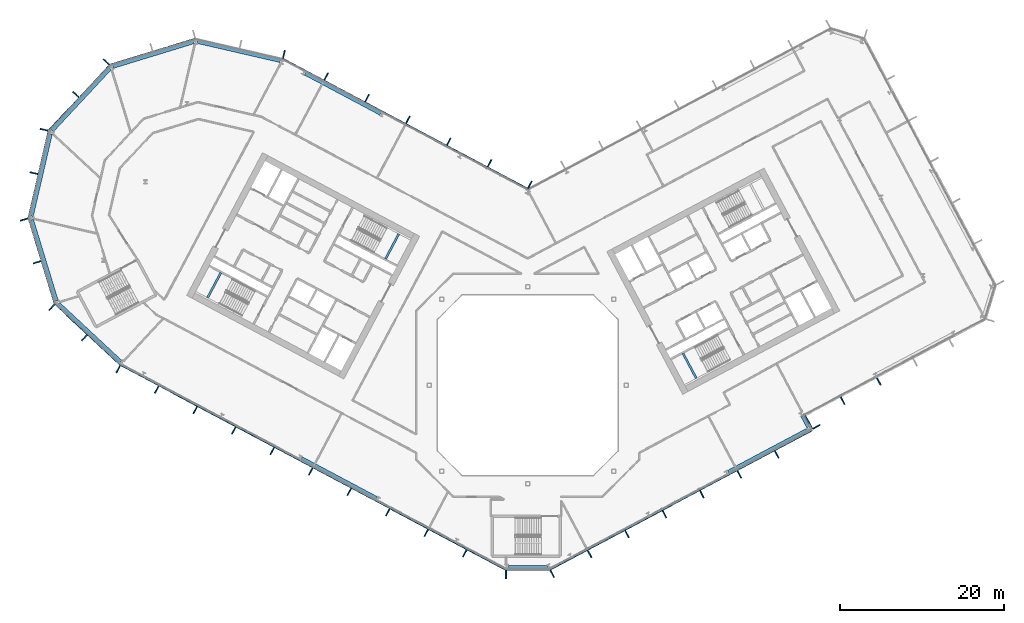
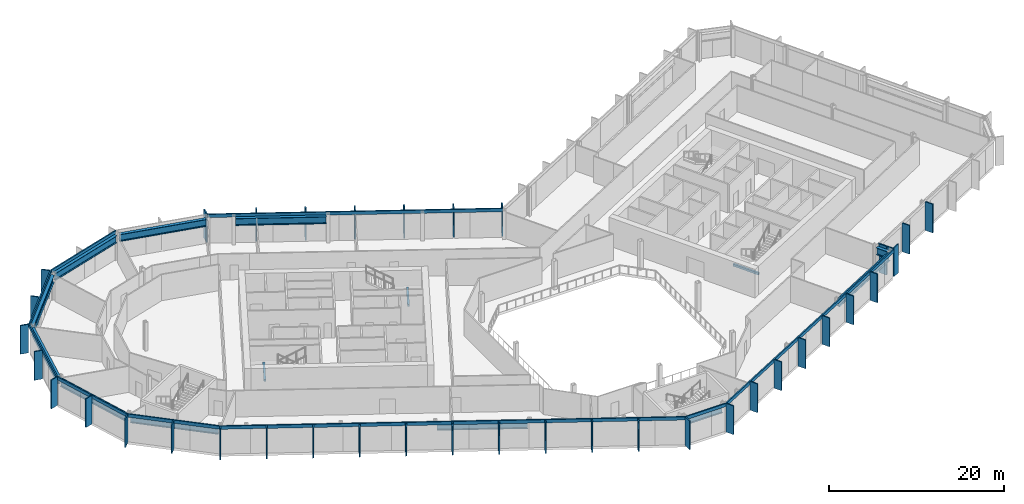
# One storey, part 9 of 28: 47 members, 14 beams, 12 elements without a shape of their own.
"""IFC4 building model written with IfcOpenShell, lengths in metres."""

from ifc_helpers import new_model, si_unit, direction, frame, origin, origin_2d, place, context, subcontext, project, spatial, rectangle, i_section, extrude, material, layer, layer_set, material_profile, profile_set, type_object, element, aggregate, save


model = new_model("IFC4")

# Units and contexts
model_context = context("Model", 3, precision=1e-05, world=origin(), true_north=direction((0.0, 1.0)))
body_context = subcontext(model_context, "Body", "Model", "MODEL_VIEW")
ifc_project = project(units=[si_unit("LENGTHUNIT", "METRE"), si_unit("AREAUNIT", "SQUARE_METRE"), si_unit("VOLUMEUNIT", "CUBIC_METRE"), si_unit("PLANEANGLEUNIT", "RADIAN"), si_unit("MASSUNIT", "GRAM", prefix="KILO")], contexts=[model_context])

# Site, building, storey
site_placement = place(None, origin())
site = spatial("IfcSite", under=ifc_project, at=site_placement, CompositionType="ELEMENT")
building_placement = place(site_placement, origin())
building = spatial("IfcBuilding", under=site, at=building_placement, Name="Cormorant Relay Tower", CompositionType="ELEMENT")
storey_placement = place(building_placement, frame((0.0, 0.0, 166.199951171875)))
storey = spatial("IfcBuildingStorey", under=building, at=storey_placement, Name="L35", CompositionType="ELEMENT", Elevation=166.199951171875)

# Curtain wall, member
ifc_material_1 = material(Name="Aluminium 6063-T6 anodised bronze", Category="aluminium")
ifc_layer = layer(ifc_material_1, 0.199951171875)
ifc_layer_set = layer_set([ifc_layer], Name="CW1 unitised bronze curtain wall with vertical fins")
curtain_wall_type = type_object("IfcCurtainWallType", Name="CW1 unitised bronze curtain wall with vertical fins", PredefinedType="NOTDEFINED", material=ifc_layer_set)
curtain_wall_1_placement = place(storey_placement, origin())
curtain_wall_1 = element("IfcCurtainWall", 1, at=curtain_wall_1_placement, inside=storey, type_object=curtain_wall_type, Name="CW1 curtain wall 1", PredefinedType="NOTDEFINED")
ifc_material_2 = material(Name="Aluminium 6063-T6 anodised bronze", Category="aluminium")
ifc_material_profile_1 = material_profile(ifc_material_2, rectangle(XDim=0.14990234375, YDim=1.0, at=origin_2d()), Name="AL 150x1000")
ifc_profile_set_1 = profile_set([ifc_material_profile_1], Name="Aluminium 6063-T6 anodised bronze")
member_type_1 = type_object("IfcMemberType", Name="CW1 bronze fin mullion 150 x 1000", PredefinedType="MULLION", material=ifc_profile_set_1)
member_1_placement = place(storey_placement, frame((-2.648681640625, -23.07568359375, 0.0), z_axis=(0.0, 0.0, 1.0), x_axis=(1.0, 0.0, 0.0)))
member_1 = element("IfcMember", 2, at=member_1_placement, type_object=member_type_1, Name="CW1 fin 1.1", PredefinedType="MULLION", context=body_context, shape_type="SweptSolid", body=[
    extrude(rectangle(XDim=0.14990234375, YDim=1.0, at=origin_2d()), origin(), (0.0, 0.0, 1.0), 4.0),
])

# Curtain wall, members
curtain_wall_2_placement = place(storey_placement, origin())
curtain_wall_2 = element("IfcCurtainWall", 3, at=curtain_wall_2_placement, inside=storey, type_object=curtain_wall_type, Name="CW1 curtain wall 2", PredefinedType="NOTDEFINED")
member_2_placement = place(storey_placement, frame((2.9775390625, -22.99365234375, 0.0), z_axis=(0.0, 0.0, 1.0), x_axis=(0.882947592859, 0.469471562786, 0.0)))
member_2 = element("IfcMember", 4, at=member_2_placement, type_object=member_type_1, Name="CW1 fin 2.1", PredefinedType="MULLION", context=body_context, shape_type="SweptSolid", body=[
    extrude(rectangle(XDim=0.14990234375, YDim=1.0, at=origin_2d()), origin(), (0.0, 0.0, 1.0), 4.0),
])
member_3_placement = place(storey_placement, frame((7.539306640625, -20.568115234375, 0.0), z_axis=(0.0, 0.0, 1.0), x_axis=(0.882947592859, 0.469471562786, 0.0)))
member_3 = element("IfcMember", 5, at=member_3_placement, type_object=member_type_1, Name="CW1 fin 2.2", PredefinedType="MULLION", context=body_context, shape_type="SweptSolid", body=[
    extrude(rectangle(XDim=0.14990234375, YDim=1.0, at=origin_2d()), origin(), (0.0, 0.0, 1.0), 4.0),
])
member_4_placement = place(storey_placement, frame((12.10107421875, -18.142578125, 0.0), z_axis=(0.0, 0.0, 1.0), x_axis=(0.882947592859, 0.469471562786, 0.0)))
member_4 = element("IfcMember", 6, at=member_4_placement, type_object=member_type_1, Name="CW1 fin 2.3", PredefinedType="MULLION", context=body_context, shape_type="SweptSolid", body=[
    extrude(rectangle(XDim=0.14990234375, YDim=1.0, at=origin_2d()), origin(), (0.0, 0.0, 1.0), 4.0),
])
member_5_placement = place(storey_placement, frame((16.662841796875, -15.717041015625, 0.0), z_axis=(0.0, 0.0, 1.0), x_axis=(0.882947592859, 0.469471562786, 0.0)))
member_5 = element("IfcMember", 7, at=member_5_placement, type_object=member_type_1, Name="CW1 fin 2.4", PredefinedType="MULLION", context=body_context, shape_type="SweptSolid", body=[
    extrude(rectangle(XDim=0.14990234375, YDim=1.0, at=origin_2d()), origin(), (0.0, 0.0, 1.0), 4.0),
])
member_6_placement = place(storey_placement, frame((21.224609375, -13.29150390625, 0.0), z_axis=(0.0, 0.0, 1.0), x_axis=(0.882947592859, 0.469471562786, 0.0)))
member_6 = element("IfcMember", 8, at=member_6_placement, type_object=member_type_1, Name="CW1 fin 2.5", PredefinedType="MULLION", context=body_context, shape_type="SweptSolid", body=[
    extrude(rectangle(XDim=0.14990234375, YDim=1.0, at=origin_2d()), origin(), (0.0, 0.0, 1.0), 4.0),
])
member_7_placement = place(storey_placement, frame((25.78662109375, -10.865966796875, 0.0), z_axis=(0.0, 0.0, 1.0), x_axis=(0.882947592859, 0.469471562786, 0.0)))
member_7 = element("IfcMember", 9, at=member_7_placement, type_object=member_type_1, Name="CW1 fin 2.6", PredefinedType="MULLION", context=body_context, shape_type="SweptSolid", body=[
    extrude(rectangle(XDim=0.14990234375, YDim=1.0, at=origin_2d()), origin(), (0.0, 0.0, 1.0), 4.0),
])
member_8_placement = place(storey_placement, frame((30.348388671875, -8.440185546875, 0.0), z_axis=(0.0, 0.0, 1.0), x_axis=(0.882947592859, 0.469471562786, 0.0)))
member_8 = element("IfcMember", 10, at=member_8_placement, type_object=member_type_1, Name="CW1 fin 2.7", PredefinedType="MULLION", context=body_context, shape_type="SweptSolid", body=[
    extrude(rectangle(XDim=0.14990234375, YDim=1.0, at=origin_2d()), origin(), (0.0, 0.0, 1.0), 4.0),
])

# Curtain wall, member
curtain_wall_3_placement = place(storey_placement, origin())
curtain_wall_3 = element("IfcCurtainWall", 11, at=curtain_wall_3_placement, inside=storey, type_object=curtain_wall_type, Name="CW1 curtain wall 3", PredefinedType="NOTDEFINED")
member_9_placement = place(storey_placement, frame((35.199462890625, -5.068115234375, 0.0), z_axis=(0.0, 0.0, 1.0), x_axis=(-0.469471562786, 0.882947592859, 0.0)))
member_9 = element("IfcMember", 12, at=member_9_placement, type_object=member_type_1, Name="CW1 fin 3.1", PredefinedType="MULLION", context=body_context, shape_type="SweptSolid", body=[
    extrude(rectangle(XDim=0.14990234375, YDim=1.0, at=origin_2d()), origin(), (0.0, 0.0, 1.0), 4.0),
])

# Curtain wall, members
curtain_wall_4_placement = place(storey_placement, origin())
curtain_wall_4 = element("IfcCurtainWall", 13, at=curtain_wall_4_placement, inside=storey, type_object=curtain_wall_type, Name="CW1 curtain wall 4", PredefinedType="NOTDEFINED")
member_10_placement = place(storey_placement, frame((34.037353515625, -4.213623046875, 0.0), z_axis=(0.0, 0.0, 1.0), x_axis=(0.882947592859, 0.469471562786, 0.0)))
member_10 = element("IfcMember", 14, at=member_10_placement, type_object=member_type_1, Name="CW1 fin 4.1", PredefinedType="MULLION", context=body_context, shape_type="SweptSolid", body=[
    extrude(rectangle(XDim=0.14990234375, YDim=1.0, at=origin_2d()), origin(), (0.0, 0.0, 1.0), 4.0),
])
member_11_placement = place(storey_placement, frame((38.385986328125, -1.901611328125, 0.0), z_axis=(0.0, 0.0, 1.0), x_axis=(0.882947592859, 0.469471562786, 0.0)))
member_11 = element("IfcMember", 15, at=member_11_placement, type_object=member_type_1, Name="CW1 fin 4.2", PredefinedType="MULLION", context=body_context, shape_type="SweptSolid", body=[
    extrude(rectangle(XDim=0.14990234375, YDim=1.0, at=origin_2d()), origin(), (0.0, 0.0, 1.0), 4.0),
])
member_12_placement = place(storey_placement, frame((42.800537109375, 0.44580078125, 0.0), z_axis=(0.0, 0.0, 1.0), x_axis=(0.882947592859, 0.469471562786, 0.0)))
member_12 = element("IfcMember", 16, at=member_12_placement, type_object=member_type_1, Name="CW1 fin 4.3", PredefinedType="MULLION", context=body_context, shape_type="SweptSolid", body=[
    extrude(rectangle(XDim=0.14990234375, YDim=1.0, at=origin_2d()), origin(), (0.0, 0.0, 1.0), 4.0),
])
aggregate(curtain_wall_4, [member_10, member_11, member_12])

curtain_wall_5_placement = place(storey_placement, origin())
curtain_wall_5 = element("IfcCurtainWall", 17, at=curtain_wall_5_placement, inside=storey, type_object=curtain_wall_type, Name="CW1 curtain wall 9", PredefinedType="NOTDEFINED")
member_13_placement = place(storey_placement, frame((0.262451171875, 24.437255859375, 0.0), z_axis=(0.0, 0.0, 1.0), x_axis=(-0.882947592859, 0.469471562786, 0.0)))
member_13 = element("IfcMember", 18, at=member_13_placement, type_object=member_type_1, Name="CW1 fin 9.1", PredefinedType="MULLION", context=body_context, shape_type="SweptSolid", body=[
    extrude(rectangle(XDim=0.14990234375, YDim=1.0, at=origin_2d()), origin(), (0.0, 0.0, 1.0), 4.0),
])
member_14_placement = place(storey_placement, frame((-4.650390625, 27.04931640625, 0.0), z_axis=(0.0, 0.0, 1.0), x_axis=(-0.882947592859, 0.469471562786, 0.0)))
member_14 = element("IfcMember", 19, at=member_14_placement, type_object=member_type_1, Name="CW1 fin 9.2", PredefinedType="MULLION", context=body_context, shape_type="SweptSolid", body=[
    extrude(rectangle(XDim=0.14990234375, YDim=1.0, at=origin_2d()), origin(), (0.0, 0.0, 1.0), 4.0),
])
member_15_placement = place(storey_placement, frame((-9.62939453125, 29.69677734375, 0.0), z_axis=(0.0, 0.0, 1.0), x_axis=(-0.882947592859, 0.469471562786, 0.0)))
member_15 = element("IfcMember", 20, at=member_15_placement, type_object=member_type_1, Name="CW1 fin 9.3", PredefinedType="MULLION", context=body_context, shape_type="SweptSolid", body=[
    extrude(rectangle(XDim=0.14990234375, YDim=1.0, at=origin_2d()), origin(), (0.0, 0.0, 1.0), 4.0),
])
member_16_placement = place(storey_placement, frame((-14.608154296875, 32.343994140625, 0.0), z_axis=(0.0, 0.0, 1.0), x_axis=(-0.882947592859, 0.469471562786, 0.0)))
member_16 = element("IfcMember", 21, at=member_16_placement, type_object=member_type_1, Name="CW1 fin 9.4", PredefinedType="MULLION", context=body_context, shape_type="SweptSolid", body=[
    extrude(rectangle(XDim=0.14990234375, YDim=1.0, at=origin_2d()), origin(), (0.0, 0.0, 1.0), 4.0),
])
member_17_placement = place(storey_placement, frame((-19.587158203125, 34.991455078125, 0.0), z_axis=(0.0, 0.0, 1.0), x_axis=(-0.882947592859, 0.469471562786, 0.0)))
member_17 = element("IfcMember", 22, at=member_17_placement, type_object=member_type_1, Name="CW1 fin 9.5", PredefinedType="MULLION", context=body_context, shape_type="SweptSolid", body=[
    extrude(rectangle(XDim=0.14990234375, YDim=1.0, at=origin_2d()), origin(), (0.0, 0.0, 1.0), 4.0),
])
member_18_placement = place(storey_placement, frame((-24.566162109375, 37.638916015625, 0.0), z_axis=(0.0, 0.0, 1.0), x_axis=(-0.882947592859, 0.469471562786, 0.0)))
member_18 = element("IfcMember", 23, at=member_18_placement, type_object=member_type_1, Name="CW1 fin 9.6", PredefinedType="MULLION", context=body_context, shape_type="SweptSolid", body=[
    extrude(rectangle(XDim=0.14990234375, YDim=1.0, at=origin_2d()), origin(), (0.0, 0.0, 1.0), 4.0),
])

# Curtain wall, member
curtain_wall_6_placement = place(storey_placement, origin())
curtain_wall_6 = element("IfcCurtainWall", 24, at=curtain_wall_6_placement, inside=storey, type_object=curtain_wall_type, Name="CW1 curtain wall 10", PredefinedType="NOTDEFINED")
member_19_placement = place(storey_placement, frame((-29.71630859375, 40.35009765625, 0.0), z_axis=(0.0, 0.0, 1.0), x_axis=(-0.974370064785, 0.224951054344, 0.0)))
member_19 = element("IfcMember", 25, at=member_19_placement, type_object=member_type_1, Name="CW1 fin 10.1", PredefinedType="MULLION", context=body_context, shape_type="SweptSolid", body=[
    extrude(rectangle(XDim=0.14990234375, YDim=1.0, at=origin_2d()), origin(), (0.0, 0.0, 1.0), 4.0),
])
aggregate(curtain_wall_6, [member_19])

# Curtain wall, members
curtain_wall_7_placement = place(storey_placement, origin())
curtain_wall_7 = element("IfcCurtainWall", 26, at=curtain_wall_7_placement, inside=storey, type_object=curtain_wall_type, Name="CW1 curtain wall 12", PredefinedType="NOTDEFINED")
member_20_placement = place(storey_placement, frame((-51.372802734375, 39.41259765625, 0.0), z_axis=(0.0, 0.0, 1.0), x_axis=(-0.681998360062, -0.731353701619, 0.0)))
member_20 = element("IfcMember", 27, at=member_20_placement, type_object=member_type_1, Name="CW1 fin 12.1", PredefinedType="MULLION", context=body_context, shape_type="SweptSolid", body=[
    extrude(rectangle(XDim=0.14990234375, YDim=1.0, at=origin_2d()), origin(), (0.0, 0.0, 1.0), 4.0),
])
member_21_placement = place(storey_placement, frame((-55.07958984375, 35.4375, 0.0), z_axis=(0.0, 0.0, 1.0), x_axis=(-0.681998360062, -0.731353701619, 0.0)))
member_21 = element("IfcMember", 28, at=member_21_placement, type_object=member_type_1, Name="CW1 fin 12.2", PredefinedType="MULLION", context=body_context, shape_type="SweptSolid", body=[
    extrude(rectangle(XDim=0.14990234375, YDim=1.0, at=origin_2d()), origin(), (0.0, 0.0, 1.0), 4.0),
])

curtain_wall_8_placement = place(storey_placement, origin())
curtain_wall_8 = element("IfcCurtainWall", 29, at=curtain_wall_8_placement, inside=storey, type_object=curtain_wall_type, Name="CW1 curtain wall 13", PredefinedType="NOTDEFINED")
member_22_placement = place(storey_placement, frame((-58.95654296875, 31.142578125, 0.0), z_axis=(0.0, 0.0, 1.0), x_axis=(-0.224951054344, -0.974370064785, 0.0)))
member_22 = element("IfcMember", 30, at=member_22_placement, type_object=member_type_1, Name="CW1 fin 13.1", PredefinedType="MULLION", context=body_context, shape_type="SweptSolid", body=[
    extrude(rectangle(XDim=0.14990234375, YDim=1.0, at=origin_2d()), origin(), (0.0, 0.0, 1.0), 4.0),
])
member_23_placement = place(storey_placement, frame((-60.17919921875, 25.8466796875, 0.0), z_axis=(0.0, 0.0, 1.0), x_axis=(-0.224951054344, -0.974370064785, 0.0)))
member_23 = element("IfcMember", 31, at=member_23_placement, type_object=member_type_1, Name="CW1 fin 13.2", PredefinedType="MULLION", context=body_context, shape_type="SweptSolid", body=[
    extrude(rectangle(XDim=0.14990234375, YDim=1.0, at=origin_2d()), origin(), (0.0, 0.0, 1.0), 4.0),
])

curtain_wall_9_placement = place(storey_placement, origin())
curtain_wall_9 = element("IfcCurtainWall", 32, at=curtain_wall_9_placement, inside=storey, type_object=curtain_wall_type, Name="CW1 curtain wall 14", PredefinedType="NOTDEFINED")
member_24_placement = place(storey_placement, frame((-61.389404296875, 20.188720703125, 0.0), z_axis=(0.0, 0.0, 1.0), x_axis=(0.292371704723, -0.956304755963, 0.0)))
member_24 = element("IfcMember", 33, at=member_24_placement, type_object=member_type_1, Name="CW1 fin 14.1", PredefinedType="MULLION", context=body_context, shape_type="SweptSolid", body=[
    extrude(rectangle(XDim=0.14990234375, YDim=1.0, at=origin_2d()), origin(), (0.0, 0.0, 1.0), 4.0),
])
member_25_placement = place(storey_placement, frame((-59.80029296875, 14.990966796875, 0.0), z_axis=(0.0, 0.0, 1.0), x_axis=(0.292371704723, -0.956304755963, 0.0)))
member_25 = element("IfcMember", 34, at=member_25_placement, type_object=member_type_1, Name="CW1 fin 14.2", PredefinedType="MULLION", context=body_context, shape_type="SweptSolid", body=[
    extrude(rectangle(XDim=0.14990234375, YDim=1.0, at=origin_2d()), origin(), (0.0, 0.0, 1.0), 4.0),
])

curtain_wall_10_placement = place(storey_placement, origin())
curtain_wall_10 = element("IfcCurtainWall", 35, at=curtain_wall_10_placement, inside=storey, type_object=curtain_wall_type, Name="CW1 curtain wall 15", PredefinedType="NOTDEFINED")
member_26_placement = place(storey_placement, frame((-58.01904296875, 9.486083984375, 0.0), z_axis=(0.0, 0.0, 1.0), x_axis=(0.731353701619, -0.681998360062, 0.0)))
member_26 = element("IfcMember", 36, at=member_26_placement, type_object=member_type_1, Name="CW1 fin 15.1", PredefinedType="MULLION", context=body_context, shape_type="SweptSolid", body=[
    extrude(rectangle(XDim=0.14990234375, YDim=1.0, at=origin_2d()), origin(), (0.0, 0.0, 1.0), 4.0),
])
member_27_placement = place(storey_placement, frame((-54.0439453125, 5.779296875, 0.0), z_axis=(0.0, 0.0, 1.0), x_axis=(0.731353701619, -0.681998360062, 0.0)))
member_27 = element("IfcMember", 37, at=member_27_placement, type_object=member_type_1, Name="CW1 fin 15.2", PredefinedType="MULLION", context=body_context, shape_type="SweptSolid", body=[
    extrude(rectangle(XDim=0.14990234375, YDim=1.0, at=origin_2d()), origin(), (0.0, 0.0, 1.0), 4.0),
])

curtain_wall_11_placement = place(storey_placement, origin())
curtain_wall_11 = element("IfcCurtainWall", 38, at=curtain_wall_11_placement, inside=storey, type_object=curtain_wall_type, Name="CW1 curtain wall 16", PredefinedType="NOTDEFINED")
member_28_placement = place(storey_placement, frame((-49.920166015625, 1.96630859375, 0.0), z_axis=(0.0, 0.0, 1.0), x_axis=(0.882947592859, -0.469471562786, 0.0)))
member_28 = element("IfcMember", 39, at=member_28_placement, type_object=member_type_1, Name="CW1 fin 16.1", PredefinedType="MULLION", context=body_context, shape_type="SweptSolid", body=[
    extrude(rectangle(XDim=0.14990234375, YDim=1.0, at=origin_2d()), origin(), (0.0, 0.0, 1.0), 4.0),
])
member_29_placement = place(storey_placement, frame((-45.225830078125, -0.52978515625, 0.0), z_axis=(0.0, 0.0, 1.0), x_axis=(0.882947592859, -0.469471562786, 0.0)))
member_29 = element("IfcMember", 40, at=member_29_placement, type_object=member_type_1, Name="CW1 fin 16.2", PredefinedType="MULLION", context=body_context, shape_type="SweptSolid", body=[
    extrude(rectangle(XDim=0.14990234375, YDim=1.0, at=origin_2d()), origin(), (0.0, 0.0, 1.0), 4.0),
])
member_30_placement = place(storey_placement, frame((-40.531494140625, -3.025634765625, 0.0), z_axis=(0.0, 0.0, 1.0), x_axis=(0.882947592859, -0.469471562786, 0.0)))
member_30 = element("IfcMember", 41, at=member_30_placement, type_object=member_type_1, Name="CW1 fin 16.3", PredefinedType="MULLION", context=body_context, shape_type="SweptSolid", body=[
    extrude(rectangle(XDim=0.14990234375, YDim=1.0, at=origin_2d()), origin(), (0.0, 0.0, 1.0), 4.0),
])
member_31_placement = place(storey_placement, frame((-35.83740234375, -5.521728515625, 0.0), z_axis=(0.0, 0.0, 1.0), x_axis=(0.882947592859, -0.469471562786, 0.0)))
member_31 = element("IfcMember", 42, at=member_31_placement, type_object=member_type_1, Name="CW1 fin 16.4", PredefinedType="MULLION", context=body_context, shape_type="SweptSolid", body=[
    extrude(rectangle(XDim=0.14990234375, YDim=1.0, at=origin_2d()), origin(), (0.0, 0.0, 1.0), 4.0),
])
member_32_placement = place(storey_placement, frame((-31.14306640625, -8.017578125, 0.0), z_axis=(0.0, 0.0, 1.0), x_axis=(0.882947592859, -0.469471562786, 0.0)))
member_32 = element("IfcMember", 43, at=member_32_placement, type_object=member_type_1, Name="CW1 fin 16.5", PredefinedType="MULLION", context=body_context, shape_type="SweptSolid", body=[
    extrude(rectangle(XDim=0.14990234375, YDim=1.0, at=origin_2d()), origin(), (0.0, 0.0, 1.0), 4.0),
])
member_33_placement = place(storey_placement, frame((-26.44873046875, -10.513671875, 0.0), z_axis=(0.0, 0.0, 1.0), x_axis=(0.882947592859, -0.469471562786, 0.0)))
member_33 = element("IfcMember", 44, at=member_33_placement, type_object=member_type_1, Name="CW1 fin 16.6", PredefinedType="MULLION", context=body_context, shape_type="SweptSolid", body=[
    extrude(rectangle(XDim=0.14990234375, YDim=1.0, at=origin_2d()), origin(), (0.0, 0.0, 1.0), 4.0),
])
member_34_placement = place(storey_placement, frame((-21.754638671875, -13.009765625, 0.0), z_axis=(0.0, 0.0, 1.0), x_axis=(0.882947592859, -0.469471562786, 0.0)))
member_34 = element("IfcMember", 45, at=member_34_placement, type_object=member_type_1, Name="CW1 fin 16.7", PredefinedType="MULLION", context=body_context, shape_type="SweptSolid", body=[
    extrude(rectangle(XDim=0.14990234375, YDim=1.0, at=origin_2d()), origin(), (0.0, 0.0, 1.0), 4.0),
])
member_35_placement = place(storey_placement, frame((-17.060302734375, -15.505615234375, 0.0), z_axis=(0.0, 0.0, 1.0), x_axis=(0.882947592859, -0.469471562786, 0.0)))
member_35 = element("IfcMember", 46, at=member_35_placement, type_object=member_type_1, Name="CW1 fin 16.8", PredefinedType="MULLION", context=body_context, shape_type="SweptSolid", body=[
    extrude(rectangle(XDim=0.14990234375, YDim=1.0, at=origin_2d()), origin(), (0.0, 0.0, 1.0), 4.0),
])
member_36_placement = place(storey_placement, frame((-12.365966796875, -18.001708984375, 0.0), z_axis=(0.0, 0.0, 1.0), x_axis=(0.882947592859, -0.469471562786, 0.0)))
member_36 = element("IfcMember", 47, at=member_36_placement, type_object=member_type_1, Name="CW1 fin 16.9", PredefinedType="MULLION", context=body_context, shape_type="SweptSolid", body=[
    extrude(rectangle(XDim=0.14990234375, YDim=1.0, at=origin_2d()), origin(), (0.0, 0.0, 1.0), 4.0),
])
member_37_placement = place(storey_placement, frame((-7.671630859375, -20.49755859375, 0.0), z_axis=(0.0, 0.0, 1.0), x_axis=(0.882947592859, -0.469471562786, 0.0)))
member_37 = element("IfcMember", 48, at=member_37_placement, type_object=member_type_1, Name="CW1 fin 16.10", PredefinedType="MULLION", context=body_context, shape_type="SweptSolid", body=[
    extrude(rectangle(XDim=0.14990234375, YDim=1.0, at=origin_2d()), origin(), (0.0, 0.0, 1.0), 4.0),
])

# Member
ifc_material_3 = material(Name="Aluminium 6063-T6 anodised bronze", Category="aluminium")
ifc_material_profile_2 = material_profile(ifc_material_3, rectangle(XDim=0.159912109375, YDim=0.449951171875, at=origin_2d()), Name="AL 160x450")
ifc_profile_set_2 = profile_set([ifc_material_profile_2], Name="Aluminium 6063-T6 anodised bronze")
member_type_2 = type_object("IfcMemberType", Name="CW1 bronze transom 160 x 450", PredefinedType="USERDEFINED", material=ifc_profile_set_2)
member_38_placement = place(storey_placement, frame((-2.648681640625, -22.49560546875, 3.775146484375), z_axis=(1.0, 0.0, 0.0), x_axis=(0.0, 1.0, 0.0)))
member_38 = element("IfcMember", 49, at=member_38_placement, type_object=member_type_2, Name="CW1 transom 1", ObjectType="TRANSOM", PredefinedType="USERDEFINED", context=body_context, shape_type="SweptSolid", body=[
    extrude(rectangle(XDim=0.159912109375, YDim=0.449951171875, at=origin_2d()), origin(), (0.0, 0.0, 1.0), 5.29736328125),
])

aggregate(curtain_wall_1, [member_1, member_38])

member_39_placement = place(storey_placement, frame((2.705078125, -22.4814453125, 3.775146484375), z_axis=(0.882948899141, 0.469469106018, 0.0), x_axis=(-0.469469106018, 0.882948899141, 0.0)))
member_39 = element("IfcMember", 50, at=member_39_placement, type_object=member_type_2, Name="CW1 transom 2", ObjectType="TRANSOM", PredefinedType="USERDEFINED", context=body_context, shape_type="SweptSolid", body=[
    extrude(rectangle(XDim=0.159912109375, YDim=0.449951171875, at=origin_2d()), origin(), (0.0, 0.0, 1.0), 36.165771484375),
])

aggregate(curtain_wall_2, [member_2, member_3, member_4, member_5, member_6, member_7, member_8, member_39])

member_40_placement = place(storey_placement, frame((34.6875, -5.34033203125, 3.775146484375), z_axis=(-0.469580583036, 0.88288961713, 0.0), x_axis=(-0.88288961713, -0.469580583036, 0.0)))
member_40 = element("IfcMember", 51, at=member_40_placement, type_object=member_type_2, Name="CW1 transom 3", ObjectType="TRANSOM", PredefinedType="USERDEFINED", context=body_context, shape_type="SweptSolid", body=[
    extrude(rectangle(XDim=0.159912109375, YDim=0.449951171875, at=origin_2d()), origin(), (0.0, 0.0, 1.0), 2.0),
])

aggregate(curtain_wall_3, [member_9, member_40])

member_41_placement = place(storey_placement, frame((0.056396484375, 23.889892578125, 3.775146484375), z_axis=(-0.882946280328, 0.46947403129, 0.0), x_axis=(-0.46947403129, -0.882946280328, 0.0)))
member_41 = element("IfcMember", 52, at=member_41_placement, type_object=member_type_2, Name="CW1 transom 9", ObjectType="TRANSOM", PredefinedType="USERDEFINED", context=body_context, shape_type="SweptSolid", body=[
    extrude(rectangle(XDim=0.159912109375, YDim=0.449951171875, at=origin_2d()), origin(), (0.0, 0.0, 1.0), 33.834228515625),
])

aggregate(curtain_wall_5, [member_13, member_14, member_15, member_16, member_17, member_18, member_41])

# Curtain wall, member
curtain_wall_12_placement = place(storey_placement, origin())
curtain_wall_12 = element("IfcCurtainWall", 53, at=curtain_wall_12_placement, inside=storey, type_object=curtain_wall_type, Name="CW1 curtain wall 11", PredefinedType="NOTDEFINED")
member_42_placement = place(storey_placement, frame((-40.50048828125, 42.228271484375, 3.775146484375), z_axis=(-0.956304833932, -0.292371449698, 0.0), x_axis=(0.292371449698, -0.956304833932, 0.0)))
member_42 = element("IfcMember", 54, at=member_42_placement, type_object=member_type_2, Name="CW1 transom 11", ObjectType="TRANSOM", PredefinedType="USERDEFINED", context=body_context, shape_type="SweptSolid", body=[
    extrude(rectangle(XDim=0.159912109375, YDim=0.449951171875, at=origin_2d()), origin(), (0.0, 0.0, 1.0), 10.87060546875),
])
aggregate(curtain_wall_12, [member_42])

# Member
member_43_placement = place(storey_placement, frame((-50.94873046875, 39.01708984375, 3.775146484375), z_axis=(-0.681993299437, -0.731358420696, 0.0), x_axis=(0.731358420696, -0.681993299437, 0.0)))
member_43 = element("IfcMember", 55, at=member_43_placement, type_object=member_type_2, Name="CW1 transom 12", ObjectType="TRANSOM", PredefinedType="USERDEFINED", context=body_context, shape_type="SweptSolid", body=[
    extrude(rectangle(XDim=0.159912109375, YDim=0.449951171875, at=origin_2d()), origin(), (0.0, 0.0, 1.0), 10.870361328125),
])

aggregate(curtain_wall_7, [member_20, member_21, member_43])

member_44_placement = place(storey_placement, frame((-58.3916015625, 31.01220703125, 3.775146484375), z_axis=(-0.22495136131, -0.974369993916, 0.0), x_axis=(0.974369993916, -0.22495136131, 0.0)))
member_44 = element("IfcMember", 56, at=member_44_placement, type_object=member_type_2, Name="CW1 transom 13", ObjectType="TRANSOM", PredefinedType="USERDEFINED", context=body_context, shape_type="SweptSolid", body=[
    extrude(rectangle(XDim=0.159912109375, YDim=0.449951171875, at=origin_2d()), origin(), (0.0, 0.0, 1.0), 10.870361328125),
])

aggregate(curtain_wall_8, [member_22, member_23, member_44])

member_45_placement = place(storey_placement, frame((-60.834716796875, 20.358154296875, 3.775146484375), z_axis=(0.292377729282, -0.95630291405, 0.0), x_axis=(0.95630291405, 0.292377729282, 0.0)))
member_45 = element("IfcMember", 57, at=member_45_placement, type_object=member_type_2, Name="CW1 transom 14", ObjectType="TRANSOM", PredefinedType="USERDEFINED", context=body_context, shape_type="SweptSolid", body=[
    extrude(rectangle(XDim=0.159912109375, YDim=0.449951171875, at=origin_2d()), origin(), (0.0, 0.0, 1.0), 10.870361328125),
])

aggregate(curtain_wall_9, [member_24, member_25, member_45])

member_46_placement = place(storey_placement, frame((-57.62353515625, 9.91015625, 3.775146484375), z_axis=(0.731358420696, -0.681993299437, 0.0), x_axis=(0.681993299437, 0.731358420696, 0.0)))
member_46 = element("IfcMember", 58, at=member_46_placement, type_object=member_type_2, Name="CW1 transom 15", ObjectType="TRANSOM", PredefinedType="USERDEFINED", context=body_context, shape_type="SweptSolid", body=[
    extrude(rectangle(XDim=0.159912109375, YDim=0.449951171875, at=origin_2d()), origin(), (0.0, 0.0, 1.0), 10.870361328125),
])

aggregate(curtain_wall_10, [member_26, member_27, member_46])

member_47_placement = place(storey_placement, frame((-49.64794921875, 2.478515625, 3.775146484375), z_axis=(0.882947642542, -0.469471469346, 0.0), x_axis=(0.469471469346, 0.882947642542, 0.0)))
member_47 = element("IfcMember", 59, at=member_47_placement, type_object=member_type_2, Name="CW1 transom 16", ObjectType="TRANSOM", PredefinedType="USERDEFINED", context=body_context, shape_type="SweptSolid", body=[
    extrude(rectangle(XDim=0.159912109375, YDim=0.449951171875, at=origin_2d()), origin(), (0.0, 0.0, 1.0), 53.166015625),
])

aggregate(curtain_wall_11, [member_28, member_29, member_30, member_31, member_32, member_33, member_34, member_35, member_36, member_37, member_47])

# Beams
ifc_material_4 = material(Name="Steel ASTM A992 (Fy 345 MPa)", Category="steel")
ifc_material_profile_3 = material_profile(ifc_material_4, i_section(OverallWidth=0.4013671875, OverallDepth=1.000732421875, WebThickness=0.01904296875, FlangeThickness=0.0361328125, FilletRadius=0.02978515625, at=origin_2d()), Name="W1000x371")
ifc_profile_set_3 = profile_set([ifc_material_profile_3], Name="Steel ASTM A992 (Fy 345 MPa)")
beam_type_1 = type_object("IfcBeamType", Name="Spandrel W1000x371", PredefinedType="SPANDREL", material=ifc_profile_set_3)
beam_1_placement = place(storey_placement, frame((-2.35888671875, -22.1748046875, 3.1396484375), z_axis=(1.0, 0.0, 0.0), x_axis=(0.0, 1.0, 0.0)))
element("IfcBeam", 60, at=beam_1_placement, inside=storey, type_object=beam_type_1, Name="Spandrel beam L35-001", PredefinedType="SPANDREL", context=body_context, shape_type="SweptSolid", body=[
    extrude(i_section(OverallWidth=0.4013671875, OverallDepth=1.000732421875, WebThickness=0.01904296875, FlangeThickness=0.0361328125, FilletRadius=0.02978515625, at=origin_2d()), origin(), (0.0, 0.0, 1.0), 4.748046875),
])
beam_2_placement = place(storey_placement, frame((24.427001953125, -10.568603515625, 3.1396484375), z_axis=(0.88295524081, 0.469457178799, 0.0), x_axis=(-0.469457178799, 0.88295524081, 0.0)))
element("IfcBeam", 61, at=beam_2_placement, inside=storey, type_object=beam_type_1, Name="Spandrel beam L35-002", PredefinedType="SPANDREL", context=body_context, shape_type="SweptSolid", body=[
    extrude(i_section(OverallWidth=0.4013671875, OverallDepth=1.000732421875, WebThickness=0.01904296875, FlangeThickness=0.0361328125, FilletRadius=0.02978515625, at=origin_2d()), origin(), (0.0, 0.0, 1.0), 10.915771484375),
])
beam_3_placement = place(storey_placement, frame((34.191650390625, -5.091064453125, 3.1396484375), z_axis=(-0.469471937736, 0.882947393494, 0.0), x_axis=(-0.882947393494, -0.469471937736, 0.0)))
element("IfcBeam", 62, at=beam_3_placement, inside=storey, type_object=beam_type_1, Name="Spandrel beam L35-003", PredefinedType="SPANDREL", context=body_context, shape_type="SweptSolid", body=[
    extrude(i_section(OverallWidth=0.4013671875, OverallDepth=1.000732421875, WebThickness=0.01904296875, FlangeThickness=0.0361328125, FilletRadius=0.02978515625, at=origin_2d()), origin(), (0.0, 0.0, 1.0), 1.521728515625),
])
beam_4_placement = place(storey_placement, frame((-17.964599609375, 33.108642578125, 3.1396484375), z_axis=(-0.882946180893, 0.469474218299, 0.0), x_axis=(-0.469474218299, -0.882946180893, 0.0)))
element("IfcBeam", 63, at=beam_4_placement, inside=storey, type_object=beam_type_1, Name="Spandrel beam L35-009", PredefinedType="SPANDREL", context=body_context, shape_type="SweptSolid", body=[
    extrude(i_section(OverallWidth=0.4013671875, OverallDepth=1.000732421875, WebThickness=0.01904296875, FlangeThickness=0.0361328125, FilletRadius=0.02978515625, at=origin_2d()), origin(), (0.0, 0.0, 1.0), 10.388671875),
])
beam_5_placement = place(storey_placement, frame((-30.162109375, 39.52880859375, 3.1396484375), z_axis=(-0.974371727644, 0.224943851591, 0.0), x_axis=(-0.224943851591, -0.974371727644, 0.0)))
element("IfcBeam", 64, at=beam_5_placement, inside=storey, type_object=beam_type_1, Name="Spandrel beam L35-010", PredefinedType="SPANDREL", context=body_context, shape_type="SweptSolid", body=[
    extrude(i_section(OverallWidth=0.4013671875, OverallDepth=1.000732421875, WebThickness=0.01904296875, FlangeThickness=0.0361328125, FilletRadius=0.02978515625, at=origin_2d()), origin(), (0.0, 0.0, 1.0), 10.3583984375),
])
beam_6_placement = place(storey_placement, frame((-40.69140625, 41.834716796875, 3.1396484375), z_axis=(-0.95629714744, -0.292396589921, 0.0), x_axis=(0.292396589921, -0.95629714744, 0.0)))
element("IfcBeam", 65, at=beam_6_placement, inside=storey, type_object=beam_type_1, Name="Spandrel beam L35-011", PredefinedType="SPANDREL", context=body_context, shape_type="SweptSolid", body=[
    extrude(i_section(OverallWidth=0.4013671875, OverallDepth=1.000732421875, WebThickness=0.01904296875, FlangeThickness=0.0361328125, FilletRadius=0.02978515625, at=origin_2d()), origin(), (0.0, 0.0, 1.0), 10.31103515625),
])
beam_7_placement = place(storey_placement, frame((-50.917236328125, 38.58056640625, 3.1396484375), z_axis=(-0.682003508788, -0.731348900321, 0.0), x_axis=(0.731348900321, -0.682003508788, 0.0)))
element("IfcBeam", 66, at=beam_7_placement, inside=storey, type_object=beam_type_1, Name="Spandrel beam L35-012", PredefinedType="SPANDREL", context=body_context, shape_type="SweptSolid", body=[
    extrude(i_section(OverallWidth=0.4013671875, OverallDepth=1.000732421875, WebThickness=0.01904296875, FlangeThickness=0.0361328125, FilletRadius=0.02978515625, at=origin_2d()), origin(), (0.0, 0.0, 1.0), 10.310791015625),
])
for number, where, z_axis, x_axis, name in (
    (67, (-58.14599609375, 30.64990234375, 3.1396484375), (-0.224951162328, -0.974370039855, 0.0), (0.974370039855, -0.224951162328, 0.0), "Spandrel beam L35-013"),
    (68, (-60.44091796875, 20.16748046875, 3.1396484375), (0.292366522639, -0.95630634027, 0.0), (0.95630634027, 0.292366522639, 0.0), "Spandrel beam L35-014"),
):
    element("IfcBeam", number, at=place(storey_placement, frame(where, z_axis=z_axis, x_axis=x_axis)), inside=storey, type_object=beam_type_1, Name=name, PredefinedType="SPANDREL", context=body_context, shape_type="SweptSolid", body=[
        extrude(i_section(OverallWidth=0.4013671875, OverallDepth=1.000732421875, WebThickness=0.01904296875, FlangeThickness=0.0361328125, FilletRadius=0.02978515625, at=origin_2d()), origin(), (0.0, 0.0, 1.0), 10.310302734375),
    ])
beam_8_placement = place(storey_placement, frame((-57.1875, 9.94189453125, 3.1396484375), z_axis=(0.731351225545, -0.682001015317, 0.0), x_axis=(0.682001015317, 0.731351225545, 0.0)))
element("IfcBeam", 69, at=beam_8_placement, inside=storey, type_object=beam_type_1, Name="Spandrel beam L35-015", PredefinedType="SPANDREL", context=body_context, shape_type="SweptSolid", body=[
    extrude(i_section(OverallWidth=0.4013671875, OverallDepth=1.000732421875, WebThickness=0.01904296875, FlangeThickness=0.0361328125, FilletRadius=0.02978515625, at=origin_2d()), origin(), (0.0, 0.0, 1.0), 10.33935546875),
])
beam_9_placement = place(storey_placement, frame((-27.595458984375, -8.8837890625, 3.1396484375), z_axis=(0.882941619164, -0.4694827975, 0.0), x_axis=(0.4694827975, 0.882941619164, 0.0)))
element("IfcBeam", 70, at=beam_9_placement, inside=storey, type_object=beam_type_1, Name="Spandrel beam L35-016", PredefinedType="SPANDREL", context=body_context, shape_type="SweptSolid", body=[
    extrude(i_section(OverallWidth=0.4013671875, OverallDepth=1.000732421875, WebThickness=0.01904296875, FlangeThickness=0.0361328125, FilletRadius=0.02978515625, at=origin_2d()), origin(), (0.0, 0.0, 1.0), 10.388916015625),
])
ifc_material_5 = material(Name="Concrete 50 MPa", Category="concrete")
ifc_material_profile_4 = material_profile(ifc_material_5, rectangle(XDim=0.25, YDim=0.300048828125, at=origin_2d()), Name="RC 250x300")
ifc_profile_set_4 = profile_set([ifc_material_profile_4], Name="Concrete 50 MPa")
beam_type_2 = type_object("IfcBeamType", Name="Stair landing ledge beam 250x300", PredefinedType="BEAM", material=ifc_profile_set_4)
for number, where, z_axis, x_axis, name in (
    (71, (-17.338623046875, 15.3916015625, 1.650146484375), (0.469463917486, 0.882951657895, 0.0), (-0.882951657895, 0.469463917486, 0.0), "A1 landing ledge beam"),
    (72, (-37.404052734375, 13.715576171875, 1.650146484375), (-0.469463917486, -0.882951657895, 0.0), (0.882951657895, -0.469463917486, 0.0), "A2 landing ledge beam"),
    (73, (18.924072265625, 3.8896484375, 1.650146484375), (0.469463917486, -0.882951657895, 0.0), (0.882951657895, 0.469463917486, 0.0), "B1 landing ledge beam"),
):
    element("IfcBeam", number, at=place(storey_placement, frame(where, z_axis=z_axis, x_axis=x_axis)), inside=storey, type_object=beam_type_2, Name=name, PredefinedType="BEAM", context=body_context, shape_type="SweptSolid", body=[
        extrude(rectangle(XDim=0.25, YDim=0.300048828125, at=origin_2d()), origin(), (0.0, 0.0, 1.0), 3.449951171875),
    ])

save(model, "model.ifc")
